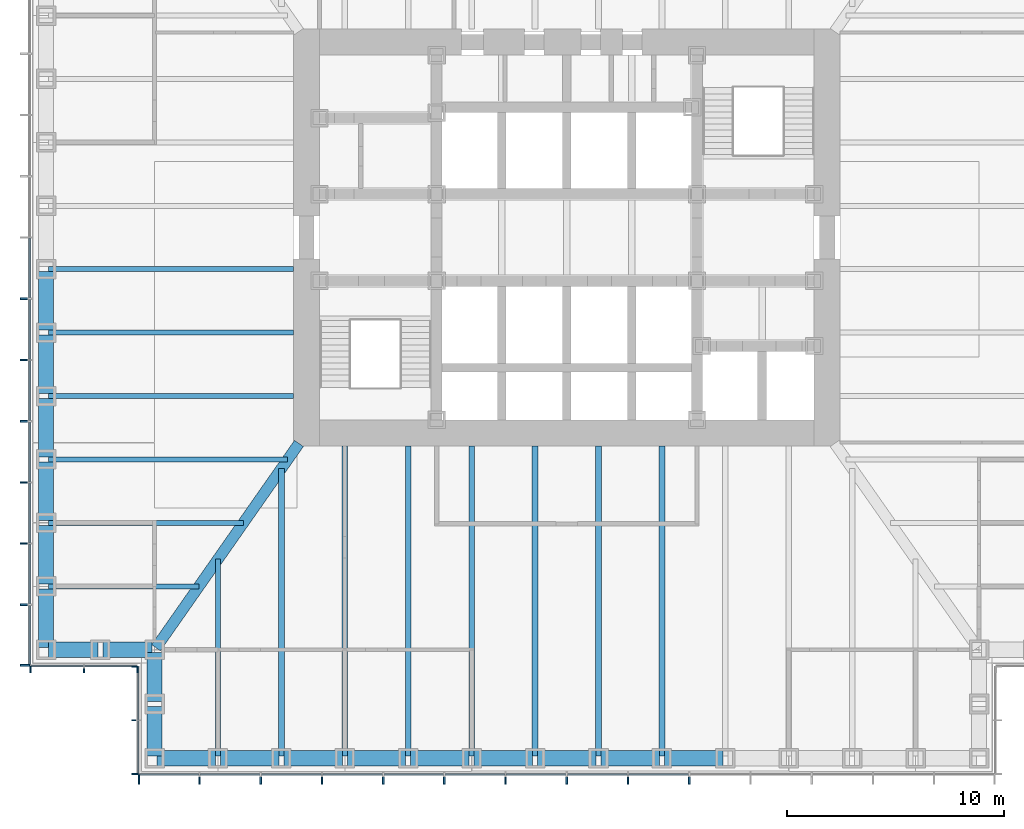
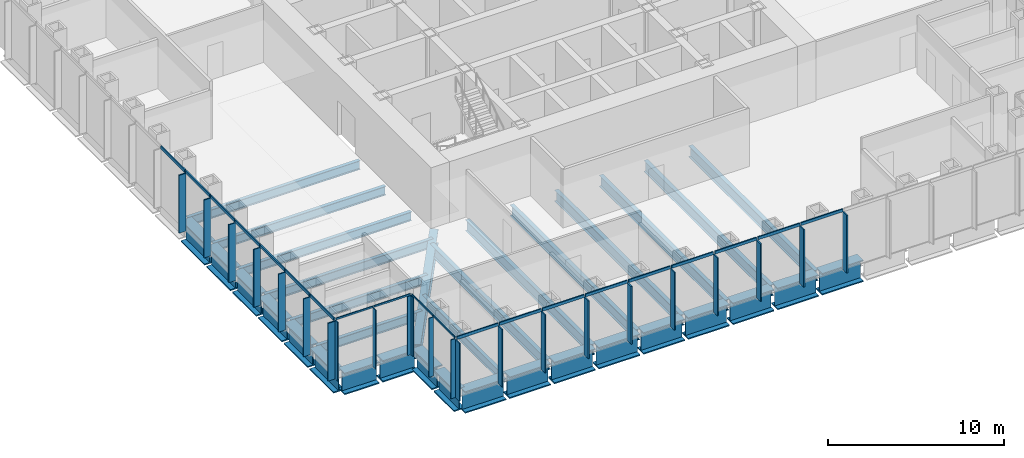
# One storey, part 2 of 17: 43 members, 34 beams, 4 elements without a shape of their own.
"""IFC4 building model written with IfcOpenShell, lengths in metres."""

from ifc_helpers import new_model, si_unit, direction, frame, origin, origin_2d, place, context, subcontext, project, spatial, rectangle, i_section, extrude, material, material_profile, profile_set, type_object, element, aggregate, save


model = new_model("IFC4")

# Units and contexts
model_context = context("Model", 3, precision=1e-05, world=origin(), true_north=direction((0.0, 1.0)))
body_context = subcontext(model_context, "Body", "Model", "MODEL_VIEW")
ifc_project = project(units=[si_unit("LENGTHUNIT", "METRE"), si_unit("AREAUNIT", "SQUARE_METRE"), si_unit("VOLUMEUNIT", "CUBIC_METRE"), si_unit("PLANEANGLEUNIT", "RADIAN"), si_unit("MASSUNIT", "GRAM", prefix="KILO")], contexts=[model_context])

# Site, building, storey
site_placement = place(None, origin())
site = spatial("IfcSite", under=ifc_project, at=site_placement, CompositionType="ELEMENT")
building_placement = place(site_placement, origin())
building = spatial("IfcBuilding", under=site, at=building_placement, Name="Daluyong Arena Tower", CompositionType="ELEMENT")
storey_placement = place(building_placement, frame((0.0, 0.0, 81.10009765625)))
storey = spatial("IfcBuildingStorey", under=building, at=storey_placement, Name="L17", CompositionType="ELEMENT", Elevation=81.10009765625)

# Curtain wall, members
ifc_material_1 = material(Name="Bronze anodised aluminium and glass", Category="aluminium")
curtain_wall_type_1 = type_object("IfcCurtainWallType", Name="Curtain wall CW1", PredefinedType="USERDEFINED", material=ifc_material_1)
curtain_wall_1_placement = place(storey_placement, origin())
curtain_wall_1 = element("IfcCurtainWall", 1, at=curtain_wall_1_placement, inside=storey, type_object=curtain_wall_type_1, Name="curtain wall L17 S", ObjectType="UNITISED CURTAIN WALL", PredefinedType="USERDEFINED")
ifc_material_2 = material(Name="Bronze anodised aluminium fin", Category="aluminium")
ifc_material_profile_1 = material_profile(ifc_material_2, rectangle(XDim=0.449951171875, YDim=0.080078125, at=origin_2d()))
ifc_profile_set_1 = profile_set([ifc_material_profile_1], Name="Bronze anodised aluminium fin")
member_type_1 = type_object("IfcMemberType", Name="CW1 bronze fin 450x80", PredefinedType="MULLION", material=ifc_profile_set_1)
member_1_placement = place(storey_placement, frame((36.2900390625, 55.02490234375, 0.0), z_axis=(0.0, 0.0, 1.0), x_axis=(0.0, 1.0, 0.0)))
member_1 = element("IfcMember", 2, at=member_1_placement, type_object=member_type_1, Name="curtain wall L17 S fin 1", PredefinedType="MULLION", context=body_context, shape_type="SweptSolid", body=[
    extrude(rectangle(XDim=0.449951171875, YDim=0.080078125, at=origin_2d()), origin(), (0.0, 0.0, 1.0), 4.0),
])
member_2_placement = place(storey_placement, frame((39.071533203125, 55.02490234375, 0.0), z_axis=(0.0, 0.0, 1.0), x_axis=(0.0, 1.0, 0.0)))
member_2 = element("IfcMember", 3, at=member_2_placement, type_object=member_type_1, Name="curtain wall L17 S fin 2", PredefinedType="MULLION", context=body_context, shape_type="SweptSolid", body=[
    extrude(rectangle(XDim=0.449951171875, YDim=0.080078125, at=origin_2d()), origin(), (0.0, 0.0, 1.0), 4.0),
])
member_3_placement = place(storey_placement, frame((41.892822265625, 55.02490234375, 0.0), z_axis=(0.0, 0.0, 1.0), x_axis=(0.0, 1.0, 0.0)))
member_3 = element("IfcMember", 4, at=member_3_placement, type_object=member_type_1, Name="curtain wall L17 S fin 3", PredefinedType="MULLION", context=body_context, shape_type="SweptSolid", body=[
    extrude(rectangle(XDim=0.449951171875, YDim=0.080078125, at=origin_2d()), origin(), (0.0, 0.0, 1.0), 4.0),
])
member_4_placement = place(storey_placement, frame((44.71435546875, 55.02490234375, 0.0), z_axis=(0.0, 0.0, 1.0), x_axis=(0.0, 1.0, 0.0)))
member_4 = element("IfcMember", 5, at=member_4_placement, type_object=member_type_1, Name="curtain wall L17 S fin 4", PredefinedType="MULLION", context=body_context, shape_type="SweptSolid", body=[
    extrude(rectangle(XDim=0.449951171875, YDim=0.080078125, at=origin_2d()), origin(), (0.0, 0.0, 1.0), 4.0),
])
member_5_placement = place(storey_placement, frame((47.53564453125, 55.02490234375, 0.0), z_axis=(0.0, 0.0, 1.0), x_axis=(0.0, 1.0, 0.0)))
member_5 = element("IfcMember", 6, at=member_5_placement, type_object=member_type_1, Name="curtain wall L17 S fin 5", PredefinedType="MULLION", context=body_context, shape_type="SweptSolid", body=[
    extrude(rectangle(XDim=0.449951171875, YDim=0.080078125, at=origin_2d()), origin(), (0.0, 0.0, 1.0), 4.0),
])
member_6_placement = place(storey_placement, frame((50.357177734375, 55.02490234375, 0.0), z_axis=(0.0, 0.0, 1.0), x_axis=(0.0, 1.0, 0.0)))
member_6 = element("IfcMember", 7, at=member_6_placement, type_object=member_type_1, Name="curtain wall L17 S fin 6", PredefinedType="MULLION", context=body_context, shape_type="SweptSolid", body=[
    extrude(rectangle(XDim=0.449951171875, YDim=0.080078125, at=origin_2d()), origin(), (0.0, 0.0, 1.0), 4.0),
])
member_7_placement = place(storey_placement, frame((53.178466796875, 55.02490234375, 0.0), z_axis=(0.0, 0.0, 1.0), x_axis=(0.0, 1.0, 0.0)))
member_7 = element("IfcMember", 8, at=member_7_placement, type_object=member_type_1, Name="curtain wall L17 S fin 7", PredefinedType="MULLION", context=body_context, shape_type="SweptSolid", body=[
    extrude(rectangle(XDim=0.449951171875, YDim=0.080078125, at=origin_2d()), origin(), (0.0, 0.0, 1.0), 4.0),
])
member_8_placement = place(storey_placement, frame((56.0, 55.02490234375, 0.0), z_axis=(0.0, 0.0, 1.0), x_axis=(0.0, 1.0, 0.0)))
member_8 = element("IfcMember", 9, at=member_8_placement, type_object=member_type_1, Name="curtain wall L17 S fin 8", PredefinedType="MULLION", context=body_context, shape_type="SweptSolid", body=[
    extrude(rectangle(XDim=0.449951171875, YDim=0.080078125, at=origin_2d()), origin(), (0.0, 0.0, 1.0), 4.0),
])
member_9_placement = place(storey_placement, frame((58.821533203125, 55.02490234375, 0.0), z_axis=(0.0, 0.0, 1.0), x_axis=(0.0, 1.0, 0.0)))
member_9 = element("IfcMember", 10, at=member_9_placement, type_object=member_type_1, Name="curtain wall L17 S fin 9", PredefinedType="MULLION", context=body_context, shape_type="SweptSolid", body=[
    extrude(rectangle(XDim=0.449951171875, YDim=0.080078125, at=origin_2d()), origin(), (0.0, 0.0, 1.0), 4.0),
])
member_10_placement = place(storey_placement, frame((61.642822265625, 55.02490234375, 0.0), z_axis=(0.0, 0.0, 1.0), x_axis=(0.0, 1.0, 0.0)))
member_10 = element("IfcMember", 11, at=member_10_placement, type_object=member_type_1, Name="curtain wall L17 S fin 10", PredefinedType="MULLION", context=body_context, shape_type="SweptSolid", body=[
    extrude(rectangle(XDim=0.449951171875, YDim=0.080078125, at=origin_2d()), origin(), (0.0, 0.0, 1.0), 4.0),
])

curtain_wall_2_placement = place(storey_placement, origin())
curtain_wall_2 = element("IfcCurtainWall", 12, at=curtain_wall_2_placement, inside=storey, type_object=curtain_wall_type_1, Name="curtain wall L17 W", ObjectType="UNITISED CURTAIN WALL", PredefinedType="USERDEFINED")
member_11_placement = place(storey_placement, frame((31.02490234375, 77.178466796875, 0.0), z_axis=(0.0, 0.0, 1.0), x_axis=(1.0, 0.0, 0.0)))
member_11 = element("IfcMember", 13, at=member_11_placement, type_object=member_type_1, Name="curtain wall L17 W fin 9", PredefinedType="MULLION", context=body_context, shape_type="SweptSolid", body=[
    extrude(rectangle(XDim=0.449951171875, YDim=0.080078125, at=origin_2d()), origin(), (0.0, 0.0, 1.0), 4.0),
])
member_12_placement = place(storey_placement, frame((31.02490234375, 74.357177734375, 0.0), z_axis=(0.0, 0.0, 1.0), x_axis=(1.0, 0.0, 0.0)))
member_12 = element("IfcMember", 14, at=member_12_placement, type_object=member_type_1, Name="curtain wall L17 W fin 10", PredefinedType="MULLION", context=body_context, shape_type="SweptSolid", body=[
    extrude(rectangle(XDim=0.449951171875, YDim=0.080078125, at=origin_2d()), origin(), (0.0, 0.0, 1.0), 4.0),
])
member_13_placement = place(storey_placement, frame((31.02490234375, 71.53564453125, 0.0), z_axis=(0.0, 0.0, 1.0), x_axis=(1.0, 0.0, 0.0)))
member_13 = element("IfcMember", 15, at=member_13_placement, type_object=member_type_1, Name="curtain wall L17 W fin 11", PredefinedType="MULLION", context=body_context, shape_type="SweptSolid", body=[
    extrude(rectangle(XDim=0.449951171875, YDim=0.080078125, at=origin_2d()), origin(), (0.0, 0.0, 1.0), 4.0),
])
member_14_placement = place(storey_placement, frame((31.02490234375, 68.71435546875, 0.0), z_axis=(0.0, 0.0, 1.0), x_axis=(1.0, 0.0, 0.0)))
member_14 = element("IfcMember", 16, at=member_14_placement, type_object=member_type_1, Name="curtain wall L17 W fin 12", PredefinedType="MULLION", context=body_context, shape_type="SweptSolid", body=[
    extrude(rectangle(XDim=0.449951171875, YDim=0.080078125, at=origin_2d()), origin(), (0.0, 0.0, 1.0), 4.0),
])
member_15_placement = place(storey_placement, frame((31.02490234375, 65.892822265625, 0.0), z_axis=(0.0, 0.0, 1.0), x_axis=(1.0, 0.0, 0.0)))
member_15 = element("IfcMember", 17, at=member_15_placement, type_object=member_type_1, Name="curtain wall L17 W fin 13", PredefinedType="MULLION", context=body_context, shape_type="SweptSolid", body=[
    extrude(rectangle(XDim=0.449951171875, YDim=0.080078125, at=origin_2d()), origin(), (0.0, 0.0, 1.0), 4.0),
])
member_16_placement = place(storey_placement, frame((31.02490234375, 63.071533203125, 0.0), z_axis=(0.0, 0.0, 1.0), x_axis=(1.0, 0.0, 0.0)))
member_16 = element("IfcMember", 18, at=member_16_placement, type_object=member_type_1, Name="curtain wall L17 W fin 14", PredefinedType="MULLION", context=body_context, shape_type="SweptSolid", body=[
    extrude(rectangle(XDim=0.449951171875, YDim=0.080078125, at=origin_2d()), origin(), (0.0, 0.0, 1.0), 4.0),
])
member_17_placement = place(storey_placement, frame((31.02490234375, 60.2900390625, 0.0), z_axis=(0.0, 0.0, 1.0), x_axis=(1.0, 0.0, 0.0)))
member_17 = element("IfcMember", 19, at=member_17_placement, type_object=member_type_1, Name="curtain wall L17 W fin 15", PredefinedType="MULLION", context=body_context, shape_type="SweptSolid", body=[
    extrude(rectangle(XDim=0.449951171875, YDim=0.080078125, at=origin_2d()), origin(), (0.0, 0.0, 1.0), 4.0),
])

# Member
ifc_material_3 = material(Name="Bronze anodised aluminium", Category="aluminium")
ifc_material_profile_2 = material_profile(ifc_material_3, rectangle(XDim=0.080078125, YDim=0.199951171875, at=origin_2d()))
ifc_profile_set_2 = profile_set([ifc_material_profile_2], Name="Bronze anodised aluminium")
member_type_2 = type_object("IfcMemberType", Name="CW1 stack transom 200x80", PredefinedType="USERDEFINED", material=ifc_profile_set_2)
member_18_placement = place(storey_placement, frame((36.330078125, 55.25, 4.099853515625), z_axis=(1.0, 0.0, 0.0), x_axis=(0.0, 1.0, 0.0)))
member_18 = element("IfcMember", 20, at=member_18_placement, type_object=member_type_2, Name="curtain wall L17 S transom 1", ObjectType="TRANSOM", PredefinedType="USERDEFINED", context=body_context, shape_type="SweptSolid", body=[
    extrude(rectangle(XDim=0.080078125, YDim=0.199951171875, at=origin_2d()), origin(), (0.0, 0.0, 1.0), 2.701416015625),
])

member_19_placement = place(storey_placement, frame((39.111328125, 55.25, 4.099853515625), z_axis=(1.0, 0.0, 0.0), x_axis=(0.0, 1.0, 0.0)))
member_19 = element("IfcMember", 21, at=member_19_placement, type_object=member_type_2, Name="curtain wall L17 S transom 2", ObjectType="TRANSOM", PredefinedType="USERDEFINED", context=body_context, shape_type="SweptSolid", body=[
    extrude(rectangle(XDim=0.080078125, YDim=0.199951171875, at=origin_2d()), origin(), (0.0, 0.0, 1.0), 2.741455078125),
])

member_20_placement = place(storey_placement, frame((41.932861328125, 55.25, 4.099853515625), z_axis=(1.0, 0.0, 0.0), x_axis=(0.0, 1.0, 0.0)))
member_20 = element("IfcMember", 22, at=member_20_placement, type_object=member_type_2, Name="curtain wall L17 S transom 3", ObjectType="TRANSOM", PredefinedType="USERDEFINED", context=body_context, shape_type="SweptSolid", body=[
    extrude(rectangle(XDim=0.080078125, YDim=0.199951171875, at=origin_2d()), origin(), (0.0, 0.0, 1.0), 2.741455078125),
])

member_21_placement = place(storey_placement, frame((44.75439453125, 55.25, 4.099853515625), z_axis=(1.0, 0.0, 0.0), x_axis=(0.0, 1.0, 0.0)))
member_21 = element("IfcMember", 23, at=member_21_placement, type_object=member_type_2, Name="curtain wall L17 S transom 4", ObjectType="TRANSOM", PredefinedType="USERDEFINED", context=body_context, shape_type="SweptSolid", body=[
    extrude(rectangle(XDim=0.080078125, YDim=0.199951171875, at=origin_2d()), origin(), (0.0, 0.0, 1.0), 2.7412109375),
])

member_22_placement = place(storey_placement, frame((47.57568359375, 55.25, 4.099853515625), z_axis=(1.0, 0.0, 0.0), x_axis=(0.0, 1.0, 0.0)))
member_22 = element("IfcMember", 24, at=member_22_placement, type_object=member_type_2, Name="curtain wall L17 S transom 5", ObjectType="TRANSOM", PredefinedType="USERDEFINED", context=body_context, shape_type="SweptSolid", body=[
    extrude(rectangle(XDim=0.080078125, YDim=0.199951171875, at=origin_2d()), origin(), (0.0, 0.0, 1.0), 2.741455078125),
])

member_23_placement = place(storey_placement, frame((50.397216796875, 55.25, 4.099853515625), z_axis=(1.0, 0.0, 0.0), x_axis=(0.0, 1.0, 0.0)))
member_23 = element("IfcMember", 25, at=member_23_placement, type_object=member_type_2, Name="curtain wall L17 S transom 6", ObjectType="TRANSOM", PredefinedType="USERDEFINED", context=body_context, shape_type="SweptSolid", body=[
    extrude(rectangle(XDim=0.080078125, YDim=0.199951171875, at=origin_2d()), origin(), (0.0, 0.0, 1.0), 2.741455078125),
])

member_24_placement = place(storey_placement, frame((53.218505859375, 55.25, 4.099853515625), z_axis=(1.0, 0.0, 0.0), x_axis=(0.0, 1.0, 0.0)))
member_24 = element("IfcMember", 26, at=member_24_placement, type_object=member_type_2, Name="curtain wall L17 S transom 7", ObjectType="TRANSOM", PredefinedType="USERDEFINED", context=body_context, shape_type="SweptSolid", body=[
    extrude(rectangle(XDim=0.080078125, YDim=0.199951171875, at=origin_2d()), origin(), (0.0, 0.0, 1.0), 2.741455078125),
])

member_25_placement = place(storey_placement, frame((56.0400390625, 55.25, 4.099853515625), z_axis=(1.0, 0.0, 0.0), x_axis=(0.0, 1.0, 0.0)))
member_25 = element("IfcMember", 27, at=member_25_placement, type_object=member_type_2, Name="curtain wall L17 S transom 8", ObjectType="TRANSOM", PredefinedType="USERDEFINED", context=body_context, shape_type="SweptSolid", body=[
    extrude(rectangle(XDim=0.080078125, YDim=0.199951171875, at=origin_2d()), origin(), (0.0, 0.0, 1.0), 2.741455078125),
])

member_26_placement = place(storey_placement, frame((58.861328125, 55.25, 4.099853515625), z_axis=(1.0, 0.0, 0.0), x_axis=(0.0, 1.0, 0.0)))
member_26 = element("IfcMember", 28, at=member_26_placement, type_object=member_type_2, Name="curtain wall L17 S transom 9", ObjectType="TRANSOM", PredefinedType="USERDEFINED", context=body_context, shape_type="SweptSolid", body=[
    extrude(rectangle(XDim=0.080078125, YDim=0.199951171875, at=origin_2d()), origin(), (0.0, 0.0, 1.0), 2.741455078125),
])

aggregate(curtain_wall_1, [member_1, member_2, member_3, member_4, member_5, member_6, member_7, member_8, member_9, member_10, member_18, member_19, member_20, member_21, member_22, member_23, member_24, member_25, member_26])

member_27_placement = place(storey_placement, frame((31.25, 79.9599609375, 4.099853515625), z_axis=(0.0, -1.0, 0.0), x_axis=(1.0, 0.0, 0.0)))
member_27 = element("IfcMember", 29, at=member_27_placement, type_object=member_type_2, Name="curtain wall L17 W transom 8", ObjectType="TRANSOM", PredefinedType="USERDEFINED", context=body_context, shape_type="SweptSolid", body=[
    extrude(rectangle(XDim=0.080078125, YDim=0.199951171875, at=origin_2d()), origin(), (0.0, 0.0, 1.0), 2.741455078125),
])

member_28_placement = place(storey_placement, frame((31.25, 77.138671875, 4.099853515625), z_axis=(0.0, -1.0, 0.0), x_axis=(1.0, 0.0, 0.0)))
member_28 = element("IfcMember", 30, at=member_28_placement, type_object=member_type_2, Name="curtain wall L17 W transom 9", ObjectType="TRANSOM", PredefinedType="USERDEFINED", context=body_context, shape_type="SweptSolid", body=[
    extrude(rectangle(XDim=0.080078125, YDim=0.199951171875, at=origin_2d()), origin(), (0.0, 0.0, 1.0), 2.741455078125),
])

member_29_placement = place(storey_placement, frame((31.25, 74.317138671875, 4.099853515625), z_axis=(0.0, -1.0, 0.0), x_axis=(1.0, 0.0, 0.0)))
member_29 = element("IfcMember", 31, at=member_29_placement, type_object=member_type_2, Name="curtain wall L17 W transom 10", ObjectType="TRANSOM", PredefinedType="USERDEFINED", context=body_context, shape_type="SweptSolid", body=[
    extrude(rectangle(XDim=0.080078125, YDim=0.199951171875, at=origin_2d()), origin(), (0.0, 0.0, 1.0), 2.741455078125),
])

member_30_placement = place(storey_placement, frame((31.25, 71.49560546875, 4.099853515625), z_axis=(0.0, -1.0, 0.0), x_axis=(1.0, 0.0, 0.0)))
member_30 = element("IfcMember", 32, at=member_30_placement, type_object=member_type_2, Name="curtain wall L17 W transom 11", ObjectType="TRANSOM", PredefinedType="USERDEFINED", context=body_context, shape_type="SweptSolid", body=[
    extrude(rectangle(XDim=0.080078125, YDim=0.199951171875, at=origin_2d()), origin(), (0.0, 0.0, 1.0), 2.7412109375),
])

member_31_placement = place(storey_placement, frame((31.25, 68.67431640625, 4.099853515625), z_axis=(0.0, -1.0, 0.0), x_axis=(1.0, 0.0, 0.0)))
member_31 = element("IfcMember", 33, at=member_31_placement, type_object=member_type_2, Name="curtain wall L17 W transom 12", ObjectType="TRANSOM", PredefinedType="USERDEFINED", context=body_context, shape_type="SweptSolid", body=[
    extrude(rectangle(XDim=0.080078125, YDim=0.199951171875, at=origin_2d()), origin(), (0.0, 0.0, 1.0), 2.741455078125),
])

member_32_placement = place(storey_placement, frame((31.25, 65.852783203125, 4.099853515625), z_axis=(0.0, -1.0, 0.0), x_axis=(1.0, 0.0, 0.0)))
member_32 = element("IfcMember", 34, at=member_32_placement, type_object=member_type_2, Name="curtain wall L17 W transom 13", ObjectType="TRANSOM", PredefinedType="USERDEFINED", context=body_context, shape_type="SweptSolid", body=[
    extrude(rectangle(XDim=0.080078125, YDim=0.199951171875, at=origin_2d()), origin(), (0.0, 0.0, 1.0), 2.741455078125),
])

member_33_placement = place(storey_placement, frame((31.25, 63.031494140625, 4.099853515625), z_axis=(0.0, -1.0, 0.0), x_axis=(1.0, 0.0, 0.0)))
member_33 = element("IfcMember", 35, at=member_33_placement, type_object=member_type_2, Name="curtain wall L17 W transom 14", ObjectType="TRANSOM", PredefinedType="USERDEFINED", context=body_context, shape_type="SweptSolid", body=[
    extrude(rectangle(XDim=0.080078125, YDim=0.199951171875, at=origin_2d()), origin(), (0.0, 0.0, 1.0), 2.701416015625),
])

aggregate(curtain_wall_2, [member_11, member_12, member_13, member_14, member_15, member_16, member_17, member_27, member_28, member_29, member_30, member_31, member_32, member_33])

# Curtain wall, members
ifc_material_4 = material(Name="Bronze anodised aluminium and glass", Category="aluminium")
curtain_wall_type_2 = type_object("IfcCurtainWallType", Name="Curtain wall CW7", PredefinedType="USERDEFINED", material=ifc_material_4)
curtain_wall_3_placement = place(storey_placement, origin())
curtain_wall_3 = element("IfcCurtainWall", 36, at=curtain_wall_3_placement, inside=storey, type_object=curtain_wall_type_2, Name="curtain wall L17 SW-S", ObjectType="UNITISED CURTAIN WALL", PredefinedType="USERDEFINED")
ifc_material_5 = material(Name="Bronze anodised aluminium fin", Category="aluminium")
ifc_material_profile_3 = material_profile(ifc_material_5, rectangle(XDim=0.300048828125, YDim=0.06005859375, at=origin_2d()))
ifc_profile_set_3 = profile_set([ifc_material_profile_3], Name="Bronze anodised aluminium fin")
member_type_3 = type_object("IfcMemberType", Name="CW7 bronze fin 300x60", PredefinedType="MULLION", material=ifc_profile_set_3)
member_34_placement = place(storey_placement, frame((31.280029296875, 60.10009765625, 0.0), z_axis=(0.0, 0.0, 1.0), x_axis=(0.0, 1.0, 0.0)))
member_34 = element("IfcMember", 37, at=member_34_placement, type_object=member_type_3, Name="curtain wall L17 SW-S fin 1", PredefinedType="MULLION", context=body_context, shape_type="SweptSolid", body=[
    extrude(rectangle(XDim=0.300048828125, YDim=0.06005859375, at=origin_2d()), origin(), (0.0, 0.0, 1.0), 4.079833984375),
])
member_35_placement = place(storey_placement, frame((33.75, 60.10009765625, 0.0), z_axis=(0.0, 0.0, 1.0), x_axis=(0.0, 1.0, 0.0)))
member_35 = element("IfcMember", 38, at=member_35_placement, type_object=member_type_3, Name="curtain wall L17 SW-S fin 2", PredefinedType="MULLION", context=body_context, shape_type="SweptSolid", body=[
    extrude(rectangle(XDim=0.300048828125, YDim=0.06005859375, at=origin_2d()), origin(), (0.0, 0.0, 1.0), 4.079833984375),
])
member_36_placement = place(storey_placement, frame((36.219970703125, 60.10009765625, 0.0), z_axis=(0.0, 0.0, 1.0), x_axis=(0.0, 1.0, 0.0)))
member_36 = element("IfcMember", 39, at=member_36_placement, type_object=member_type_3, Name="curtain wall L17 SW-S fin 3", PredefinedType="MULLION", context=body_context, shape_type="SweptSolid", body=[
    extrude(rectangle(XDim=0.300048828125, YDim=0.06005859375, at=origin_2d()), origin(), (0.0, 0.0, 1.0), 4.079833984375),
])

curtain_wall_4_placement = place(storey_placement, origin())
curtain_wall_4 = element("IfcCurtainWall", 40, at=curtain_wall_4_placement, inside=storey, type_object=curtain_wall_type_2, Name="curtain wall L17 SW-W", ObjectType="UNITISED CURTAIN WALL", PredefinedType="USERDEFINED")
member_37_placement = place(storey_placement, frame((36.10009765625, 60.219970703125, 0.0), z_axis=(0.0, 0.0, 1.0), x_axis=(1.0, 0.0, 0.0)))
member_37 = element("IfcMember", 41, at=member_37_placement, type_object=member_type_3, Name="curtain wall L17 SW-W fin 1", PredefinedType="MULLION", context=body_context, shape_type="SweptSolid", body=[
    extrude(rectangle(XDim=0.300048828125, YDim=0.06005859375, at=origin_2d()), origin(), (0.0, 0.0, 1.0), 4.079833984375),
])
member_38_placement = place(storey_placement, frame((36.10009765625, 57.75, 0.0), z_axis=(0.0, 0.0, 1.0), x_axis=(1.0, 0.0, 0.0)))
member_38 = element("IfcMember", 42, at=member_38_placement, type_object=member_type_3, Name="curtain wall L17 SW-W fin 2", PredefinedType="MULLION", context=body_context, shape_type="SweptSolid", body=[
    extrude(rectangle(XDim=0.300048828125, YDim=0.06005859375, at=origin_2d()), origin(), (0.0, 0.0, 1.0), 4.079833984375),
])
member_39_placement = place(storey_placement, frame((36.10009765625, 55.280029296875, 0.0), z_axis=(0.0, 0.0, 1.0), x_axis=(1.0, 0.0, 0.0)))
member_39 = element("IfcMember", 43, at=member_39_placement, type_object=member_type_3, Name="curtain wall L17 SW-W fin 3", PredefinedType="MULLION", context=body_context, shape_type="SweptSolid", body=[
    extrude(rectangle(XDim=0.300048828125, YDim=0.06005859375, at=origin_2d()), origin(), (0.0, 0.0, 1.0), 4.079833984375),
])

# Member
ifc_material_6 = material(Name="Bronze anodised aluminium", Category="aluminium")
ifc_material_profile_4 = material_profile(ifc_material_6, rectangle(XDim=0.06005859375, YDim=0.1201171875, at=origin_2d()))
ifc_profile_set_4 = profile_set([ifc_material_profile_4], Name="Bronze anodised aluminium")
member_type_4 = type_object("IfcMemberType", Name="CW7 stack transom 120x60", PredefinedType="USERDEFINED", material=ifc_profile_set_4)
member_40_placement = place(storey_placement, frame((31.31005859375, 60.25, 4.139892578125), z_axis=(1.0, 0.0, 0.0), x_axis=(0.0, 1.0, 0.0)))
member_40 = element("IfcMember", 44, at=member_40_placement, type_object=member_type_4, Name="curtain wall L17 SW-S transom 1", ObjectType="TRANSOM", PredefinedType="USERDEFINED", context=body_context, shape_type="SweptSolid", body=[
    extrude(rectangle(XDim=0.06005859375, YDim=0.1201171875, at=origin_2d()), origin(), (0.0, 0.0, 1.0), 2.409912109375),
])

member_41_placement = place(storey_placement, frame((33.780029296875, 60.25, 4.139892578125), z_axis=(1.0, 0.0, 0.0), x_axis=(0.0, 1.0, 0.0)))
member_41 = element("IfcMember", 45, at=member_41_placement, type_object=member_type_4, Name="curtain wall L17 SW-S transom 2", ObjectType="TRANSOM", PredefinedType="USERDEFINED", context=body_context, shape_type="SweptSolid", body=[
    extrude(rectangle(XDim=0.06005859375, YDim=0.1201171875, at=origin_2d()), origin(), (0.0, 0.0, 1.0), 2.409912109375),
])

aggregate(curtain_wall_3, [member_34, member_35, member_36, member_40, member_41])

member_42_placement = place(storey_placement, frame((36.25, 60.18994140625, 4.139892578125), z_axis=(0.0, -1.0, 0.0), x_axis=(1.0, 0.0, 0.0)))
member_42 = element("IfcMember", 46, at=member_42_placement, type_object=member_type_4, Name="curtain wall L17 SW-W transom 1", ObjectType="TRANSOM", PredefinedType="USERDEFINED", context=body_context, shape_type="SweptSolid", body=[
    extrude(rectangle(XDim=0.06005859375, YDim=0.1201171875, at=origin_2d()), origin(), (0.0, 0.0, 1.0), 2.409912109375),
])

member_43_placement = place(storey_placement, frame((36.25, 57.719970703125, 4.139892578125), z_axis=(0.0, -1.0, 0.0), x_axis=(1.0, 0.0, 0.0)))
member_43 = element("IfcMember", 47, at=member_43_placement, type_object=member_type_4, Name="curtain wall L17 SW-W transom 2", ObjectType="TRANSOM", PredefinedType="USERDEFINED", context=body_context, shape_type="SweptSolid", body=[
    extrude(rectangle(XDim=0.06005859375, YDim=0.1201171875, at=origin_2d()), origin(), (0.0, 0.0, 1.0), 2.409912109375),
])

aggregate(curtain_wall_4, [member_37, member_38, member_39, member_42, member_43])

# Beams
ifc_material_7 = material(Name="Steel ASTM A572 Grade 50", Category="steel")
ifc_material_profile_5 = material_profile(ifc_material_7, i_section(OverallWidth=0.5, OverallDepth=1.0, WebThickness=0.03, FlangeThickness=0.06, at=origin_2d()))
ifc_profile_set_5 = profile_set([ifc_material_profile_5], Name="Steel ASTM A572 Grade 50")
beam_type_1 = type_object("IfcBeamType", Name="Corner girder TB1000X500", PredefinedType="BEAM", material=ifc_profile_set_5)
beam_1_placement = place(storey_placement, frame((37.06591796875, 61.09423828125, -0.66015625), z_axis=(0.573466621875, 0.819228926244, 0.0), x_axis=(-0.819228926244, 0.573466621875, 0.0)))
element("IfcBeam", 48, at=beam_1_placement, inside=storey, type_object=beam_type_1, Name="corner girder DG2", PredefinedType="BEAM", context=body_context, shape_type="SweptSolid", body=[
    extrude(i_section(OverallWidth=0.5, OverallDepth=1.0, WebThickness=0.03, FlangeThickness=0.06, at=origin_2d()), origin(), (0.0, 0.0, 1.0), 11.49169921875),
])
ifc_material_8 = material(Name="Steel ASTM A992 Grade 50", Category="steel")
ifc_material_profile_6 = material_profile(ifc_material_8, i_section(OverallWidth=0.22900390625, OverallDepth=0.612060546875, WebThickness=0.011962890625, FlangeThickness=0.01953125, at=origin_2d()))
ifc_profile_set_6 = profile_set([ifc_material_profile_6], Name="Steel ASTM A992 Grade 50")
beam_type_2 = type_object("IfcBeamType", Name="Floor beam W24X84", PredefinedType="BEAM", material=ifc_profile_set_6)
beam_2_placement = place(storey_placement, frame((39.923095703125, 56.114990234375, -0.466064453125), z_axis=(0.0, 1.0, 0.0), x_axis=(-1.0, 0.0, 0.0)))
element("IfcBeam", 49, at=beam_2_placement, inside=storey, type_object=beam_type_2, Name="floor beam FB3", PredefinedType="BEAM", context=body_context, shape_type="SweptSolid", body=[
    extrude(i_section(OverallWidth=0.22900390625, OverallDepth=0.612060546875, WebThickness=0.011962890625, FlangeThickness=0.01953125, at=origin_2d()), origin(), (0.0, 0.0, 1.0), 9.060791015625),
])
for number, where, z_axis, x_axis, name in (
    (50, (32.114990234375, 78.53857421875, -0.466064453125), (1.0, 0.0, 0.0), (0.0, 1.0, 0.0), "floor beam FB3"),
    (51, (32.114990234375, 75.615478515625, -0.466064453125), (1.0, 0.0, 0.0), (0.0, 1.0, 0.0), "floor beam FB3"),
    (52, (32.114990234375, 72.6923828125, -0.466064453125), (1.0, 0.0, 0.0), (0.0, 1.0, 0.0), "floor beam FB3"),
):
    element("IfcBeam", number, at=place(storey_placement, frame(where, z_axis=z_axis, x_axis=x_axis)), inside=storey, type_object=beam_type_2, Name=name, PredefinedType="BEAM", context=body_context, shape_type="SweptSolid", body=[
        extrude(i_section(OverallWidth=0.22900390625, OverallDepth=0.612060546875, WebThickness=0.011962890625, FlangeThickness=0.01953125, at=origin_2d()), origin(), (0.0, 0.0, 1.0), 11.284912109375),
    ])
beam_3_placement = place(storey_placement, frame((32.114990234375, 69.769287109375, -0.466064453125), z_axis=(1.0, 0.0, 0.0), x_axis=(0.0, 1.0, 0.0)))
element("IfcBeam", 53, at=beam_3_placement, inside=storey, type_object=beam_type_2, Name="floor beam FB3", PredefinedType="BEAM", context=body_context, shape_type="SweptSolid", body=[
    extrude(i_section(OverallWidth=0.22900390625, OverallDepth=0.612060546875, WebThickness=0.011962890625, FlangeThickness=0.01953125, at=origin_2d()), origin(), (0.0, 0.0, 1.0), 11.0234375),
])
beam_4_placement = place(storey_placement, frame((32.114990234375, 66.84619140625, -0.466064453125), z_axis=(1.0, 0.0, 0.0), x_axis=(0.0, 1.0, 0.0)))
element("IfcBeam", 54, at=beam_4_placement, inside=storey, type_object=beam_type_2, Name="floor beam FB3", PredefinedType="BEAM", context=body_context, shape_type="SweptSolid", body=[
    extrude(i_section(OverallWidth=0.22900390625, OverallDepth=0.612060546875, WebThickness=0.011962890625, FlangeThickness=0.01953125, at=origin_2d()), origin(), (0.0, 0.0, 1.0), 8.977294921875),
])
beam_5_placement = place(storey_placement, frame((32.114990234375, 63.923095703125, -0.466064453125), z_axis=(1.0, 0.0, 0.0), x_axis=(0.0, 1.0, 0.0)))
element("IfcBeam", 55, at=beam_5_placement, inside=storey, type_object=beam_type_2, Name="floor beam FB3", PredefinedType="BEAM", context=body_context, shape_type="SweptSolid", body=[
    extrude(i_section(OverallWidth=0.22900390625, OverallDepth=0.612060546875, WebThickness=0.011962890625, FlangeThickness=0.01953125, at=origin_2d()), origin(), (0.0, 0.0, 1.0), 6.93115234375),
])
ifc_material_9 = material(Name="Steel ASTM A992 Grade 50", Category="steel")
ifc_material_profile_7 = material_profile(ifc_material_9, i_section(OverallWidth=0.2666015625, OverallDepth=0.761962890625, WebThickness=0.014404296875, FlangeThickness=0.021484375, at=origin_2d()))
ifc_profile_set_7 = profile_set([ifc_material_profile_7], Name="Steel ASTM A992 Grade 50")
beam_type_3 = type_object("IfcBeamType", Name="Floor beam W30X116", PredefinedType="BEAM", material=ifc_profile_set_7)
beam_6_placement = place(storey_placement, frame((42.84619140625, 56.114990234375, -0.541015625), z_axis=(0.0, 1.0, 0.0), x_axis=(-1.0, 0.0, 0.0)))
element("IfcBeam", 56, at=beam_6_placement, inside=storey, type_object=beam_type_3, Name="floor beam FB4", PredefinedType="BEAM", context=body_context, shape_type="SweptSolid", body=[
    extrude(i_section(OverallWidth=0.2666015625, OverallDepth=0.761962890625, WebThickness=0.014404296875, FlangeThickness=0.021484375, at=origin_2d()), origin(), (0.0, 0.0, 1.0), 13.236572265625),
])
for number, where, z_axis, x_axis, name in (
    (57, (45.769287109375, 56.114990234375, -0.541015625), (0.0, 1.0, 0.0), (-1.0, 0.0, 0.0), "floor beam FB4"),
    (58, (48.6923828125, 56.114990234375, -0.541015625), (0.0, 1.0, 0.0), (-1.0, 0.0, 0.0), "floor beam FB4"),
    (59, (51.615478515625, 56.114990234375, -0.541015625), (0.0, 1.0, 0.0), (-1.0, 0.0, 0.0), "floor beam FB4"),
    (60, (54.53857421875, 56.114990234375, -0.541015625), (0.0, 1.0, 0.0), (-1.0, 0.0, 0.0), "floor beam FB4"),
    (61, (57.46142578125, 56.114990234375, -0.541015625), (0.0, 1.0, 0.0), (-1.0, 0.0, 0.0), "floor beam FB4"),
    (62, (60.384521484375, 56.114990234375, -0.541015625), (0.0, 1.0, 0.0), (-1.0, 0.0, 0.0), "floor beam FB4"),
):
    element("IfcBeam", number, at=place(storey_placement, frame(where, z_axis=z_axis, x_axis=x_axis)), inside=storey, type_object=beam_type_3, Name=name, PredefinedType="BEAM", context=body_context, shape_type="SweptSolid", body=[
        extrude(i_section(OverallWidth=0.2666015625, OverallDepth=0.761962890625, WebThickness=0.014404296875, FlangeThickness=0.021484375, at=origin_2d()), origin(), (0.0, 0.0, 1.0), 14.284912109375),
    ])
ifc_material_10 = material(Name="Steel ASTM A572 Grade 50", Category="steel")
ifc_material_profile_8 = material_profile(ifc_material_10, i_section(OverallWidth=0.699951171875, OverallDepth=1.5, WebThickness=0.04, FlangeThickness=0.08, at=origin_2d()))
ifc_profile_set_8 = profile_set([ifc_material_profile_8], Name="Steel ASTM A572 Grade 50")
beam_type_4 = type_object("IfcBeamType", Name="Spandrel Z1 PG1500X700", PredefinedType="SPANDREL", material=ifc_profile_set_8)
for number, where, z_axis, x_axis, name in (
    (63, (37.114990234375, 56.0, -0.91015625), (1.0, 0.0, 0.0), (0.0, 1.0, 0.0), "spandrel z1 SB4"),
    (64, (40.0380859375, 56.0, -0.91015625), (1.0, 0.0, 0.0), (0.0, 1.0, 0.0), "spandrel z1 SB4"),
    (65, (42.961181640625, 56.0, -0.91015625), (1.0, 0.0, 0.0), (0.0, 1.0, 0.0), "spandrel z1 SB4"),
    (66, (45.88427734375, 56.0, -0.91015625), (1.0, 0.0, 0.0), (0.0, 1.0, 0.0), "spandrel z1 SB4"),
    (67, (48.807373046875, 56.0, -0.91015625), (1.0, 0.0, 0.0), (0.0, 1.0, 0.0), "spandrel z1 SB4"),
    (68, (51.73046875, 56.0, -0.91015625), (1.0, 0.0, 0.0), (0.0, 1.0, 0.0), "spandrel z1 SB4"),
):
    element("IfcBeam", number, at=place(storey_placement, frame(where, z_axis=z_axis, x_axis=x_axis)), inside=storey, type_object=beam_type_4, Name=name, PredefinedType="SPANDREL", context=body_context, shape_type="SweptSolid", body=[
        extrude(i_section(OverallWidth=0.699951171875, OverallDepth=1.5, WebThickness=0.04, FlangeThickness=0.08, at=origin_2d()), origin(), (0.0, 0.0, 1.0), 2.693115234375),
    ])
beam_7_placement = place(storey_placement, frame((54.653564453125, 56.0, -0.91015625), z_axis=(1.0, 0.0, 0.0), x_axis=(0.0, 1.0, 0.0)))
element("IfcBeam", 69, at=beam_7_placement, inside=storey, type_object=beam_type_4, Name="spandrel z1 SB4", PredefinedType="SPANDREL", context=body_context, shape_type="SweptSolid", body=[
    extrude(i_section(OverallWidth=0.699951171875, OverallDepth=1.5, WebThickness=0.04, FlangeThickness=0.08, at=origin_2d()), origin(), (0.0, 0.0, 1.0), 2.69287109375),
])
for number, where, z_axis, x_axis, name in (
    (70, (57.576416015625, 56.0, -0.91015625), (1.0, 0.0, 0.0), (0.0, 1.0, 0.0), "spandrel z1 SB4"),
    (71, (60.49951171875, 56.0, -0.91015625), (1.0, 0.0, 0.0), (0.0, 1.0, 0.0), "spandrel z1 SB4"),
    (72, (32.0, 78.423583984375, -0.91015625), (0.0, -1.0, 0.0), (1.0, 0.0, 0.0), "spandrel z1 SB4"),
    (73, (32.0, 75.50048828125, -0.91015625), (0.0, -1.0, 0.0), (1.0, 0.0, 0.0), "spandrel z1 SB4"),
    (74, (32.0, 72.577392578125, -0.91015625), (0.0, -1.0, 0.0), (1.0, 0.0, 0.0), "spandrel z1 SB4"),
    (75, (32.0, 69.654296875, -0.91015625), (0.0, -1.0, 0.0), (1.0, 0.0, 0.0), "spandrel z1 SB4"),
    (76, (32.0, 66.731201171875, -0.91015625), (0.0, -1.0, 0.0), (1.0, 0.0, 0.0), "spandrel z1 SB4"),
    (77, (32.0, 63.80810546875, -0.91015625), (0.0, -1.0, 0.0), (1.0, 0.0, 0.0), "spandrel z1 SB4"),
):
    element("IfcBeam", number, at=place(storey_placement, frame(where, z_axis=z_axis, x_axis=x_axis)), inside=storey, type_object=beam_type_4, Name=name, PredefinedType="SPANDREL", context=body_context, shape_type="SweptSolid", body=[
        extrude(i_section(OverallWidth=0.699951171875, OverallDepth=1.5, WebThickness=0.04, FlangeThickness=0.08, at=origin_2d()), origin(), (0.0, 0.0, 1.0), 2.693115234375),
    ])
for number, where, z_axis, x_axis, name in (
    (78, (32.114990234375, 61.0, -0.91015625), (1.0, 0.0, 0.0), (0.0, 1.0, 0.0), "spandrel z1 SB4"),
    (79, (34.614990234375, 61.0, -0.91015625), (1.0, 0.0, 0.0), (0.0, 1.0, 0.0), "spandrel z1 SB4"),
    (80, (37.0, 60.885009765625, -0.91015625), (0.0, -1.0, 0.0), (1.0, 0.0, 0.0), "spandrel z1 SB4"),
    (81, (37.0, 58.385009765625, -0.91015625), (0.0, -1.0, 0.0), (1.0, 0.0, 0.0), "spandrel z1 SB4"),
):
    element("IfcBeam", number, at=place(storey_placement, frame(where, z_axis=z_axis, x_axis=x_axis)), inside=storey, type_object=beam_type_4, Name=name, PredefinedType="SPANDREL", context=body_context, shape_type="SweptSolid", body=[
        extrude(i_section(OverallWidth=0.699951171875, OverallDepth=1.5, WebThickness=0.04, FlangeThickness=0.08, at=origin_2d()), origin(), (0.0, 0.0, 1.0), 2.27001953125),
    ])

save(model, "model.ifc")
